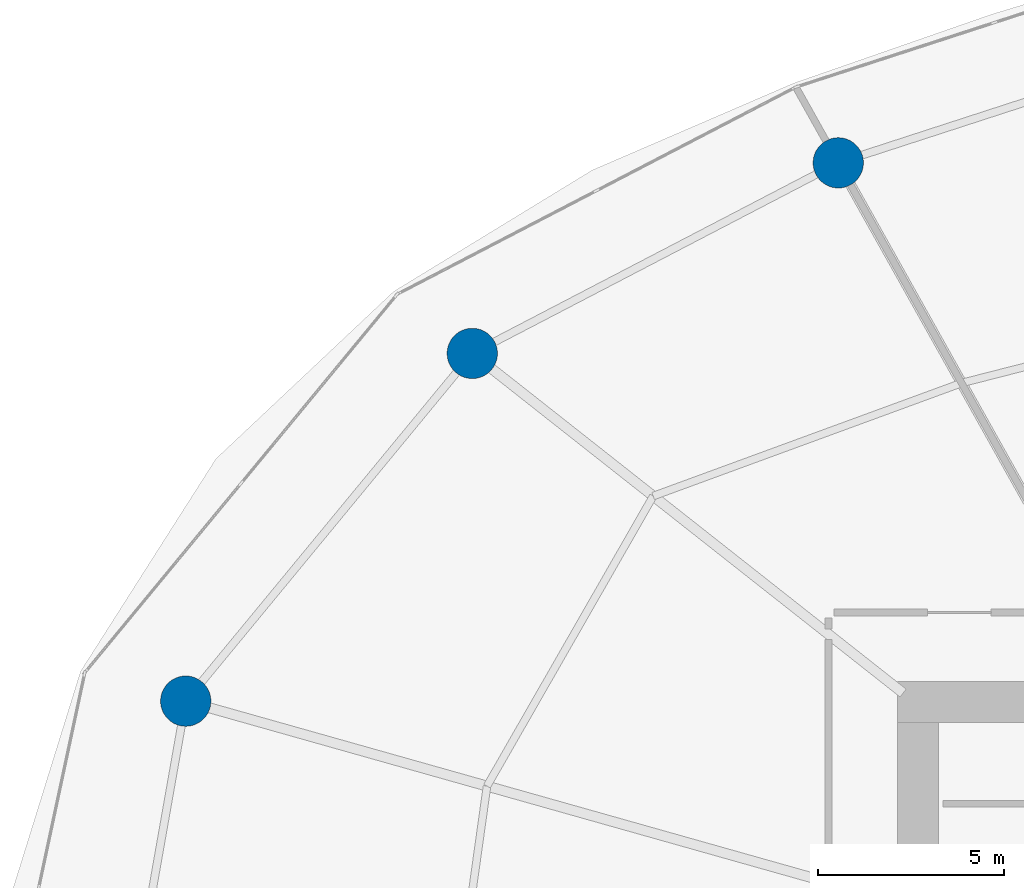
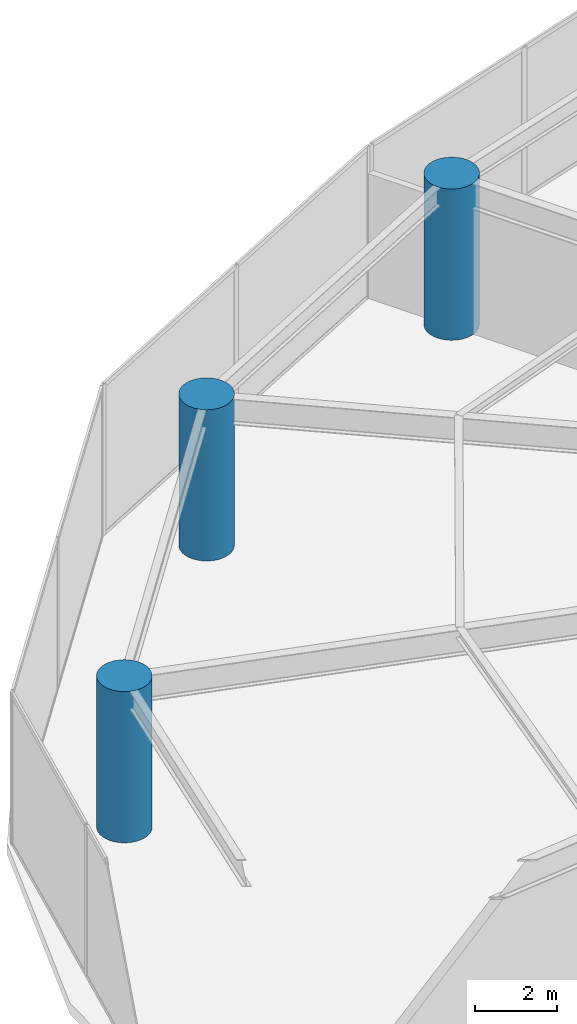
# One storey, part 4 of 22: 3 columns.
"""IFC4 building model written with IfcOpenShell, lengths in metres."""

from ifc_helpers import new_model, si_unit, direction, frame, origin, origin_2d, place, context, subcontext, project, spatial, circle, extrude, material, material_profile, profile_set, type_object, element, save


model = new_model("IFC4")

# Units and contexts
model_context = context("Model", 3, precision=1e-05, world=origin(), true_north=direction((0.0, 1.0)))
body_context = subcontext(model_context, "Body", "Model", "MODEL_VIEW")
ifc_project = project(units=[si_unit("LENGTHUNIT", "METRE"), si_unit("AREAUNIT", "SQUARE_METRE"), si_unit("VOLUMEUNIT", "CUBIC_METRE"), si_unit("PLANEANGLEUNIT", "RADIAN"), si_unit("MASSUNIT", "GRAM", prefix="KILO")], contexts=[model_context])

# Site, building, storey
site_placement = place(None, origin())
site = spatial("IfcSite", under=ifc_project, at=site_placement, CompositionType="ELEMENT")
building_placement = place(site_placement, origin())
building = spatial("IfcBuilding", under=site, at=building_placement, Name="Kazma Halo Residences", CompositionType="ELEMENT")
storey_placement = place(building_placement, frame((0.0, 0.0, 12.0)))
storey = spatial("IfcBuildingStorey", under=building, at=storey_placement, Name="L02", CompositionType="ELEMENT", Elevation=12.0)

# Columns
ifc_material = material(Name="Concrete C80/95", Category="concrete")
ifc_material_profile = material_profile(ifc_material, circle(Radius=0.675048828125, at=origin_2d()), Name="CIRC1350")
ifc_profile_set = profile_set([ifc_material_profile], Name="Concrete C80/95")
column_type = type_object("IfcColumnType", Name="COL-PERIM-1350", PredefinedType="COLUMN", material=ifc_profile_set)
for number, where, z_axis, x_axis, name in (
    (1, (35.110595703125, 65.015625, 0.0), (0.0, 0.0, 1.0), (1.0, 0.0, 0.0), "L02 perimeter ring column P05"),
    (2, (25.291015625, 59.90234375, 0.0), (0.0, 0.0, 1.0), (1.0, 0.0, 0.0), "L02 perimeter ring column P06"),
    (3, (17.602294921875, 50.572998046875, 0.0), (0.0, 0.0, 1.0), (1.0, 0.0, 0.0), "L02 perimeter ring column P07"),
):
    element("IfcColumn", number, at=place(storey_placement, frame(where, z_axis=z_axis, x_axis=x_axis)), inside=storey, type_object=column_type, Name=name, PredefinedType="COLUMN", context=body_context, shape_type="SweptSolid", body=[
        extrude(circle(Radius=0.675048828125, at=origin_2d()), origin(), (0.0, 0.0, 1.0), 4.47998046875),
    ])

save(model, "model.ifc")
